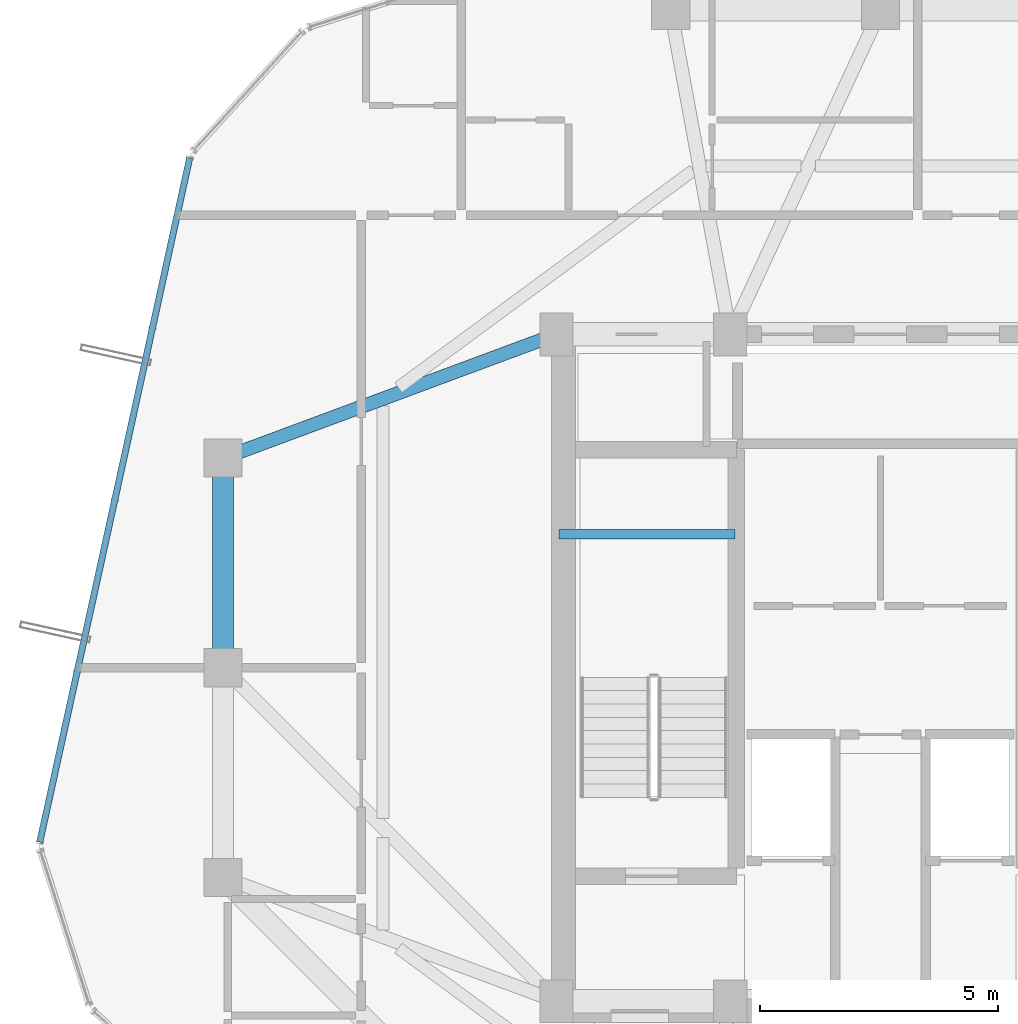
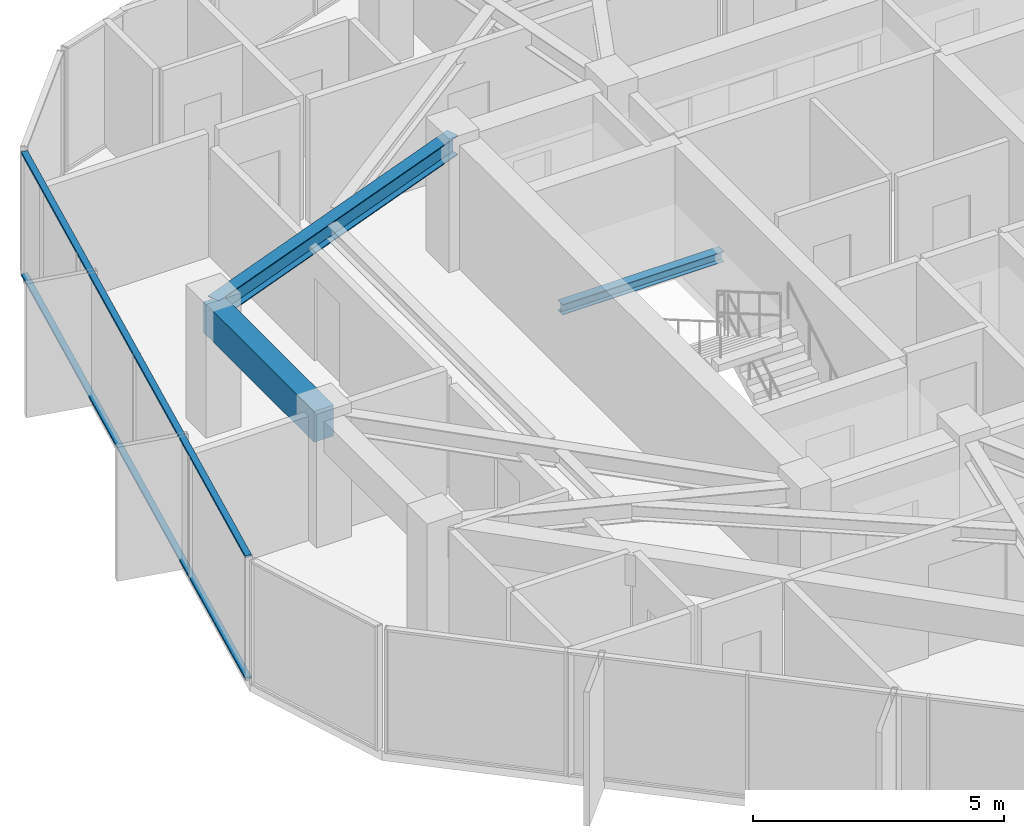
# One storey, part 12 of 28: 3 beams, 2 members, 1 element without a shape of its own.
"""IFC4 building model written with IfcOpenShell, lengths in metres."""

from ifc_helpers import new_model, si_unit, direction, frame, origin, origin_2d, place, context, subcontext, project, spatial, rectangle, hollow_rectangle, i_section, extrude, source, transform, mapped, material, layer, layer_set, material_profile, profile_set, type_object, element, aggregate, save


model = new_model("IFC4")

# Units and contexts
model_context = context("Model", 3, precision=1e-05, world=origin(), true_north=direction((0.0, 1.0)))
body_context = subcontext(model_context, "Body", "Model", "MODEL_VIEW")
ifc_project = project(units=[si_unit("LENGTHUNIT", "METRE"), si_unit("AREAUNIT", "SQUARE_METRE"), si_unit("VOLUMEUNIT", "CUBIC_METRE"), si_unit("PLANEANGLEUNIT", "RADIAN"), si_unit("MASSUNIT", "GRAM", prefix="KILO")], contexts=[model_context])

# Site, building, storey
site_placement = place(None, origin())
site = spatial("IfcSite", under=ifc_project, at=site_placement, CompositionType="ELEMENT")
building_placement = place(site_placement, origin())
building = spatial("IfcBuilding", under=site, at=building_placement, Name="Veraguas Prism Commons", CompositionType="ELEMENT")
storey_placement = place(building_placement, frame((0.0, 0.0, 251.25)))
storey = spatial("IfcBuildingStorey", under=building, at=storey_placement, Name="L71", CompositionType="ELEMENT", Elevation=251.25)

# Beams
ifc_material_1 = material(Name="Concrete C50/60", Category="concrete")
ifc_material_profile_1 = material_profile(ifc_material_1, rectangle(XDim=0.449951171875, YDim=0.75, at=origin_2d()), Name="RC450X750")
ifc_profile_set_1 = profile_set([ifc_material_profile_1], Name="Concrete C50/60")
beam_type_1 = type_object("IfcBeamType", Name="Perimeter Spandrel Upper RC 450x750", PredefinedType="SPANDREL", material=ifc_profile_set_1)
beam_1_placement = place(storey_placement, frame((10.199951171875, 28.39990234375, 2.639892578125), z_axis=(0.0, -1.0, 0.0), x_axis=(1.0, 0.0, 0.0)))
element("IfcBeam", 1, at=beam_1_placement, inside=storey, type_object=beam_type_1, Name="Perimeter Spandrel Beam L71-SP07", PredefinedType="SPANDREL", context=body_context, shape_type="SweptSolid", body=[
    extrude(rectangle(XDim=0.449951171875, YDim=0.75, at=origin_2d()), origin(), (0.0, 0.0, 1.0), 4.39990234375),
])
ifc_material_2 = material(Name="Steel ASTM A992 Grade 50", Category="steel")
ifc_material_profile_2 = material_profile(ifc_material_2, i_section(OverallWidth=0.202880859375, OverallDepth=0.251953125, WebThickness=0.008056640625, FlangeThickness=0.013427734375, at=origin_2d()), Name="W250X58")
ifc_profile_set_2 = profile_set([ifc_material_profile_2], Name="Steel ASTM A992 Grade 50")
beam_type_2 = type_object("IfcBeamType", Name="Structural Opening Lintel W250x58", PredefinedType="LINTEL", material=ifc_profile_set_2)
beam_2_placement = place(storey_placement, frame((17.25, 26.800048828125, 1.299072265625), z_axis=(1.0, 0.0, 0.0), x_axis=(0.0, 1.0, 0.0)))
element("IfcBeam", 2, at=beam_2_placement, inside=storey, type_object=beam_type_2, Name="Stair ST-01 Half-Landing Support Beam L71-1", PredefinedType="LINTEL", context=body_context, shape_type="SweptSolid", body=[
    extrude(i_section(OverallWidth=0.202880859375, OverallDepth=0.251953125, WebThickness=0.008056640625, FlangeThickness=0.013427734375, at=origin_2d()), origin(), (0.0, 0.0, 1.0), 3.699951171875),
])
ifc_material_profile_3 = material_profile(ifc_material_2, i_section(OverallWidth=0.282958984375, OverallDepth=0.471923828125, WebThickness=0.013671875, FlangeThickness=0.022216796875, at=origin_2d()), Name="W460X144")
ifc_profile_set_3 = profile_set([ifc_material_profile_3], Name="Steel ASTM A992 Grade 50")
beam_type_3 = type_object("IfcBeamType", Name="Zone 4 Radial Girder W460x144", PredefinedType="BEAM", material=ifc_profile_set_3)
beam_3_placement = place(storey_placement, frame((10.199951171875, 28.39990234375, 2.779052734375), z_axis=(0.937421003341, 0.348198021958, 0.0), x_axis=(-0.348198021958, 0.937421003341, 0.0)))
element("IfcBeam", 3, at=beam_3_placement, inside=storey, type_object=beam_type_3, Name="Radial Floor Girder L71-RD07", PredefinedType="BEAM", context=body_context, shape_type="SweptSolid", body=[
    extrude(i_section(OverallWidth=0.282958984375, OverallDepth=0.471923828125, WebThickness=0.013671875, FlangeThickness=0.022216796875, at=origin_2d()), origin(), (0.0, 0.0, 1.0), 7.46728515625),
])

# Curtain wall, members
ifc_material_3 = material(Name="Anodised aluminium EN AW-6063 T6", Category="aluminium")
ifc_layer = layer(ifc_material_3, 0.14990234375, Name="Unitised Flush Curtain Wall Zone 4", Category="aluminium")
ifc_layer_set = layer_set([ifc_layer], Name="Anodised aluminium EN AW-6063 T6")
curtain_wall_type = type_object("IfcCurtainWallType", Name="Unitised Flush Curtain Wall Zone 4", PredefinedType="NOTDEFINED", material=ifc_layer_set)
curtain_wall_placement = place(storey_placement, origin())
curtain_wall = element("IfcCurtainWall", 4, at=curtain_wall_placement, inside=storey, type_object=curtain_wall_type, Name="Tower Facade Curtain Wall L71-F3", PredefinedType="NOTDEFINED")
ifc_material_profile_4 = material_profile(ifc_material_3, hollow_rectangle(XDim=0.054931640625, YDim=0.135009765625, WallThickness=0.0029296875, at=origin_2d()), Name="AL55X135X3")
ifc_profile_set_4 = profile_set([ifc_material_profile_4], Name="Anodised aluminium EN AW-6063 T6")
member_type = type_object("IfcMemberType", Name="Curtain Wall Transom Standard AL 55x135x3", PredefinedType="USERDEFINED", material=ifc_profile_set_4)
shared_shape = source(origin(), body_context, "Body", "SweptSolid", [
    extrude(hollow_rectangle(XDim=0.054931640625, YDim=0.135009765625, WallThickness=0.0029296875, at=origin_2d()), origin(), (0.0, 0.0, 1.0), 14.706298828125),
])
member_1_placement = place(storey_placement, frame((9.5009765625, 34.704833984375, 0.027587890625), z_axis=(-0.214053825605, -0.976821866946, 0.0), x_axis=(0.0, 0.0, 1.0)))
member_1 = element("IfcMember", 5, at=member_1_placement, type_object=member_type, Name="CW-Z4 Transom 1", ObjectType="TRANSOM", PredefinedType="USERDEFINED", context=body_context, shape_type="MappedRepresentation", body=[
    mapped(shared_shape, transform((0.0, 0.0, 0.0), scale=1.0)),
])
member_2_placement = place(storey_placement, frame((9.5009765625, 34.704833984375, 2.987548828125), z_axis=(-0.214053825605, -0.976821866946, 0.0), x_axis=(0.0, 0.0, 1.0)))
member_2 = element("IfcMember", 6, at=member_2_placement, type_object=member_type, Name="CW-Z4 Transom 2", ObjectType="TRANSOM", PredefinedType="USERDEFINED", context=body_context, shape_type="MappedRepresentation", body=[
    mapped(shared_shape, transform((0.0, 0.0, 0.0), scale=1.0)),
])
aggregate(curtain_wall, [member_1, member_2])

save(model, "model.ifc")
